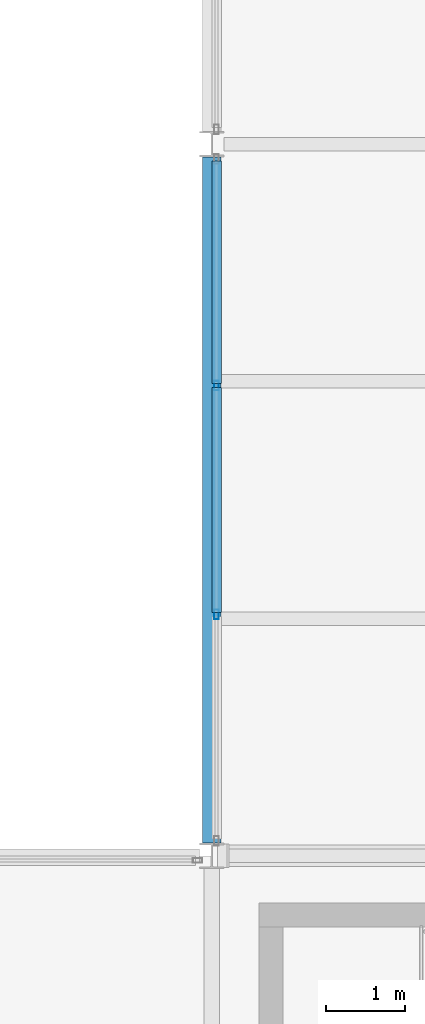
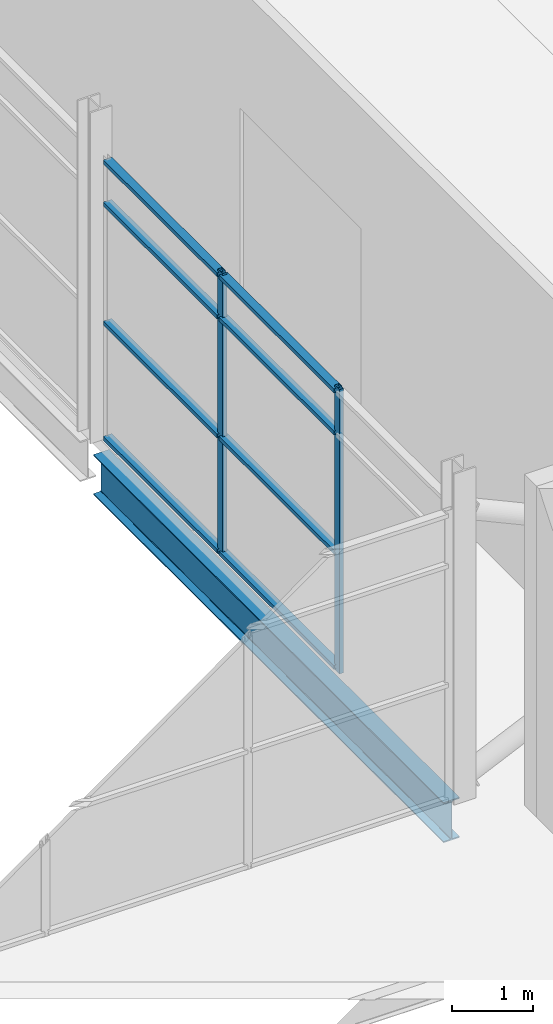
# One storey, part 63 of 115: 10 members, 1 beam, 1 element without a shape of its own.
"""IFC4 building model written with IfcOpenShell, lengths in metres."""

from ifc_helpers import new_model, si_unit, direction, frame, origin, origin_2d, place, context, subcontext, project, spatial, hollow_rectangle, i_section, extrude, material, layer, layer_set, material_profile, profile_set, type_object, element, aggregate, save


model = new_model("IFC4")

# Units and contexts
model_context = context("Model", 3, precision=1e-05, world=origin(), true_north=direction((0.0, 1.0)))
body_context = subcontext(model_context, "Body", "Model", "MODEL_VIEW")
ifc_project = project(units=[si_unit("LENGTHUNIT", "METRE"), si_unit("AREAUNIT", "SQUARE_METRE"), si_unit("VOLUMEUNIT", "CUBIC_METRE"), si_unit("PLANEANGLEUNIT", "RADIAN"), si_unit("MASSUNIT", "GRAM", prefix="KILO")], contexts=[model_context])

# Site, building, storey
site_placement = place(None, origin())
site = spatial("IfcSite", under=ifc_project, at=site_placement, CompositionType="ELEMENT")
building_placement = place(site_placement, origin())
building = spatial("IfcBuilding", under=site, at=building_placement, Name="Shorebreak Coast Museum", CompositionType="ELEMENT")
storey_placement = place(building_placement, frame((0.0, 0.0, 11.0)))
storey = spatial("IfcBuildingStorey", under=building, at=storey_placement, Name="L02", CompositionType="ELEMENT", Elevation=11.0)

# Beam
ifc_material_1 = material(Name="Steel Grade 300", Category="steel")
ifc_material_profile_1 = material_profile(ifc_material_1, i_section(OverallWidth=0.22802734375, OverallDepth=0.60693359375, WebThickness=0.01123046875, FlangeThickness=0.017333984375, FilletRadius=0.013916015625, at=origin_2d()), Name="610UB113")
ifc_profile_set_1 = profile_set([ifc_material_profile_1], Name="Steel Grade 300")
beam_type = type_object("IfcBeamType", Name="Floor girder north-south 610UB113", PredefinedType="BEAM", material=ifc_profile_set_1)
beam_placement = place(storey_placement, frame((108.0, 63.16357421875, -0.478515625), z_axis=(0.0, 1.0, 0.0), x_axis=(-1.0, 0.0, 0.0)))
element("IfcBeam", 1, at=beam_placement, inside=storey, type_object=beam_type, Name="Floor girder north-south L02 13H", PredefinedType="BEAM", context=body_context, shape_type="SweptSolid", body=[
    extrude(i_section(OverallWidth=0.22802734375, OverallDepth=0.60693359375, WebThickness=0.01123046875, FlangeThickness=0.017333984375, FilletRadius=0.013916015625, at=origin_2d()), origin(), (0.0, 0.0, 1.0), 8.6728515625),
])

# Curtain wall, members
ifc_material_2 = material(Name="Aluminium", Category="aluminium")
ifc_layer = layer(ifc_material_2, 0.1201171875)
ifc_layer_set = layer_set([ifc_layer], Name="Aluminium")
curtain_wall_type = type_object("IfcCurtainWallType", Name="Atrium fire screen", PredefinedType="NOTDEFINED", material=ifc_layer_set)
curtain_wall_placement = place(storey_placement, origin())
curtain_wall = element("IfcCurtainWall", 2, at=curtain_wall_placement, inside=storey, type_object=curtain_wall_type, Name="Atrium screen L02 E 30", PredefinedType="NOTDEFINED")
ifc_material_3 = material(Name="Aluminium", Category="aluminium")
ifc_material_profile_2 = material_profile(ifc_material_3, hollow_rectangle(XDim=0.06005859375, YDim=0.1201171875, WallThickness=0.00341796875, at=origin_2d()), Name="AL 120x60 RHS")
ifc_profile_set_2 = profile_set([ifc_material_profile_2], Name="Aluminium")
member_type_1 = type_object("IfcMemberType", Name="Screen mullion 50 x 120", PredefinedType="MULLION", material=ifc_profile_set_2)
member_1_placement = place(storey_placement, frame((108.06005859375, 66.054443359375, 0.0), z_axis=(0.0, 0.0, 1.0), x_axis=(-1.0, 0.0, 0.0)))
member_1 = element("IfcMember", 3, at=member_1_placement, type_object=member_type_1, Name="CW4 mullion 2", PredefinedType="MULLION", context=body_context, shape_type="SweptSolid", body=[
    extrude(hollow_rectangle(XDim=0.06005859375, YDim=0.1201171875, WallThickness=0.00341796875, at=origin_2d()), origin(), (0.0, 0.0, 1.0), 4.296875),
])
member_2_placement = place(storey_placement, frame((108.06005859375, 68.945556640625, 0.0), z_axis=(0.0, 0.0, 1.0), x_axis=(-1.0, 0.0, 0.0)))
member_2 = element("IfcMember", 4, at=member_2_placement, type_object=member_type_1, Name="CW4 mullion 3", PredefinedType="MULLION", context=body_context, shape_type="SweptSolid", body=[
    extrude(hollow_rectangle(XDim=0.06005859375, YDim=0.1201171875, WallThickness=0.00341796875, at=origin_2d()), origin(), (0.0, 0.0, 1.0), 4.296875),
])
ifc_material_4 = material(Name="Aluminium", Category="aluminium")
ifc_material_profile_3 = material_profile(ifc_material_4, hollow_rectangle(XDim=0.1201171875, YDim=0.06005859375, WallThickness=0.00341796875, at=origin_2d()), Name="AL 60x120 RHS")
ifc_profile_set_3 = profile_set([ifc_material_profile_3], Name="Aluminium")
member_type_2 = type_object("IfcMemberType", Name="Screen transom 120 x 50", PredefinedType="USERDEFINED", material=ifc_profile_set_3)
member_3_placement = place(storey_placement, frame((108.06005859375, 66.07958984375, 0.06005859375), z_axis=(0.0, 1.0, 0.0), x_axis=(-1.0, 0.0, 0.0)))
member_3 = element("IfcMember", 5, at=member_3_placement, type_object=member_type_2, Name="CW4 transom 2.1", ObjectType="TRANSOM", PredefinedType="USERDEFINED", context=body_context, shape_type="SweptSolid", body=[
    extrude(hollow_rectangle(XDim=0.1201171875, YDim=0.06005859375, WallThickness=0.00341796875, at=origin_2d()), origin(), (0.0, 0.0, 1.0), 2.8408203125),
])
member_4_placement = place(storey_placement, frame((108.06005859375, 66.07958984375, 1.800048828125), z_axis=(0.0, 1.0, 0.0), x_axis=(-1.0, 0.0, 0.0)))
member_4 = element("IfcMember", 6, at=member_4_placement, type_object=member_type_2, Name="CW4 transom 2.2", ObjectType="TRANSOM", PredefinedType="USERDEFINED", context=body_context, shape_type="SweptSolid", body=[
    extrude(hollow_rectangle(XDim=0.1201171875, YDim=0.06005859375, WallThickness=0.00341796875, at=origin_2d()), origin(), (0.0, 0.0, 1.0), 2.8408203125),
])
member_5_placement = place(storey_placement, frame((108.06005859375, 66.07958984375, 3.60009765625), z_axis=(0.0, 1.0, 0.0), x_axis=(-1.0, 0.0, 0.0)))
member_5 = element("IfcMember", 7, at=member_5_placement, type_object=member_type_2, Name="CW4 transom 2.3", ObjectType="TRANSOM", PredefinedType="USERDEFINED", context=body_context, shape_type="SweptSolid", body=[
    extrude(hollow_rectangle(XDim=0.1201171875, YDim=0.06005859375, WallThickness=0.00341796875, at=origin_2d()), origin(), (0.0, 0.0, 1.0), 2.8408203125),
])
member_6_placement = place(storey_placement, frame((108.06005859375, 66.07958984375, 4.23681640625), z_axis=(0.0, 1.0, 0.0), x_axis=(-1.0, 0.0, 0.0)))
member_6 = element("IfcMember", 8, at=member_6_placement, type_object=member_type_2, Name="CW4 transom 2.4", ObjectType="TRANSOM", PredefinedType="USERDEFINED", context=body_context, shape_type="SweptSolid", body=[
    extrude(hollow_rectangle(XDim=0.1201171875, YDim=0.06005859375, WallThickness=0.00341796875, at=origin_2d()), origin(), (0.0, 0.0, 1.0), 2.8408203125),
])
member_7_placement = place(storey_placement, frame((108.06005859375, 68.970458984375, 0.06005859375), z_axis=(0.0, 1.0, 0.0), x_axis=(-1.0, 0.0, 0.0)))
member_7 = element("IfcMember", 9, at=member_7_placement, type_object=member_type_2, Name="CW4 transom 3.1", ObjectType="TRANSOM", PredefinedType="USERDEFINED", context=body_context, shape_type="SweptSolid", body=[
    extrude(hollow_rectangle(XDim=0.1201171875, YDim=0.06005859375, WallThickness=0.00341796875, at=origin_2d()), origin(), (0.0, 0.0, 1.0), 2.81591796875),
])
member_8_placement = place(storey_placement, frame((108.06005859375, 68.970458984375, 1.800048828125), z_axis=(0.0, 1.0, 0.0), x_axis=(-1.0, 0.0, 0.0)))
member_8 = element("IfcMember", 10, at=member_8_placement, type_object=member_type_2, Name="CW4 transom 3.2", ObjectType="TRANSOM", PredefinedType="USERDEFINED", context=body_context, shape_type="SweptSolid", body=[
    extrude(hollow_rectangle(XDim=0.1201171875, YDim=0.06005859375, WallThickness=0.00341796875, at=origin_2d()), origin(), (0.0, 0.0, 1.0), 2.81591796875),
])
member_9_placement = place(storey_placement, frame((108.06005859375, 68.970458984375, 3.60009765625), z_axis=(0.0, 1.0, 0.0), x_axis=(-1.0, 0.0, 0.0)))
member_9 = element("IfcMember", 11, at=member_9_placement, type_object=member_type_2, Name="CW4 transom 3.3", ObjectType="TRANSOM", PredefinedType="USERDEFINED", context=body_context, shape_type="SweptSolid", body=[
    extrude(hollow_rectangle(XDim=0.1201171875, YDim=0.06005859375, WallThickness=0.00341796875, at=origin_2d()), origin(), (0.0, 0.0, 1.0), 2.81591796875),
])
member_10_placement = place(storey_placement, frame((108.06005859375, 68.970458984375, 4.23681640625), z_axis=(0.0, 1.0, 0.0), x_axis=(-1.0, 0.0, 0.0)))
member_10 = element("IfcMember", 12, at=member_10_placement, type_object=member_type_2, Name="CW4 transom 3.4", ObjectType="TRANSOM", PredefinedType="USERDEFINED", context=body_context, shape_type="SweptSolid", body=[
    extrude(hollow_rectangle(XDim=0.1201171875, YDim=0.06005859375, WallThickness=0.00341796875, at=origin_2d()), origin(), (0.0, 0.0, 1.0), 2.81591796875),
])
aggregate(curtain_wall, [member_1, member_2, member_3, member_4, member_5, member_6, member_7, member_8, member_9, member_10])

save(model, "model.ifc")
